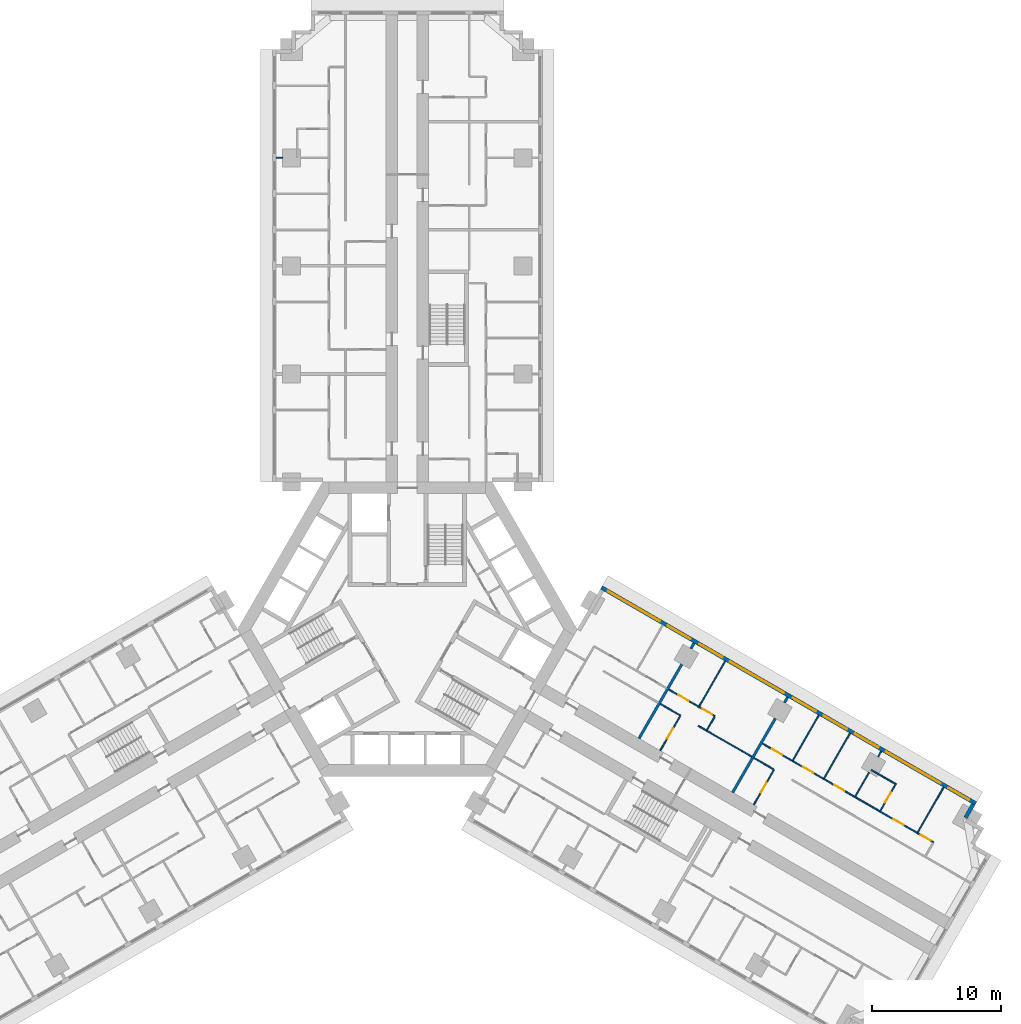
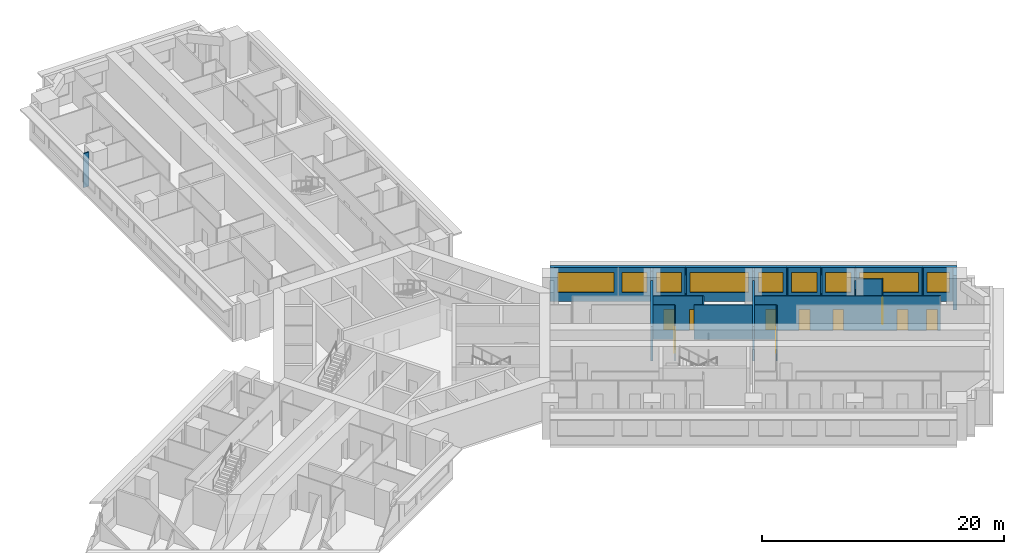
# One storey, part 11 of 14: 23 walls, 10 doors, 9 windows, 19 openings.
"""IFC4 building model written with IfcOpenShell, lengths in metres."""

from ifc_helpers import new_model, si_unit, direction, frame, frame_2d, origin, place, context, subcontext, project, spatial, rectangle, extrude, material, layer, layer_set, type_object, element, fill, save


model = new_model("IFC4")

# Units and contexts
model_context = context("Model", 3, precision=1e-05, world=origin(), true_north=direction((0.0, 1.0)))
body_context = subcontext(model_context, "Body", "Model", "MODEL_VIEW")
ifc_project = project(units=[si_unit("LENGTHUNIT", "METRE"), si_unit("AREAUNIT", "SQUARE_METRE"), si_unit("VOLUMEUNIT", "CUBIC_METRE"), si_unit("PLANEANGLEUNIT", "RADIAN"), si_unit("MASSUNIT", "GRAM", prefix="KILO")], contexts=[model_context])

# Site, building, storey
site_placement = place(None, origin())
site = spatial("IfcSite", under=ifc_project, at=site_placement, CompositionType="ELEMENT")
building_placement = place(site_placement, origin())
building = spatial("IfcBuilding", under=site, at=building_placement, Name="Impinga Residences", CompositionType="ELEMENT")
storey_placement = place(building_placement, frame((0.0, 0.0, 89.75)))
storey = spatial("IfcBuildingStorey", under=building, at=storey_placement, Name="L22", CompositionType="ELEMENT", Elevation=89.75)

# Wall, openings, windows
ifc_material_1 = material(Name="Terracotta rainscreen on blockwork", Category="masonry")
ifc_layer_1 = layer(ifc_material_1, 0.300048828125)
ifc_layer_set_1 = layer_set([ifc_layer_1], Name="EW1 external wall, terracotta rainscreen on blockwork 300")
wall_type_1 = type_object("IfcWallType", Name="EW1 external wall, terracotta rainscreen on blockwork 300", PredefinedType="SOLIDWALL", material=ifc_layer_set_1)
wall_1_placement = place(storey_placement, frame((15.074951171875, 3.24755859375, 0.0), z_axis=(0.0, 0.0, 1.0), x_axis=(0.866024291668, -0.500001926238, 0.0)))
wall_1 = element("IfcWall", 1, at=wall_1_placement, inside=storey, type_object=wall_type_1, Name="External wall EW1 L22", PredefinedType="SOLIDWALL", context=body_context, shape_type="SweptSolid", body=[
    extrude(rectangle(XDim=33.599853515625, YDim=0.300048828125, at=frame_2d((16.7998046875, 0.0))), origin(), (0.0, 0.0, 1.0), 3.449951171875),
])
opening_1_placement = place(wall_1_placement, frame((0.60009765625, 0.0, 0.89990234375)))
opening_1 = element("IfcOpeningElement", 2, at=opening_1_placement, cuts=wall_1, Name="Opening W10", PredefinedType="OPENING", context=body_context, shape_type="SweptSolid", body=[
    extrude(rectangle(XDim=4.64990234375, YDim=2.050048828125, at=frame_2d((2.324951171875, 1.02490234375))), frame((0.0, 0.159912109375, 0.0), z_axis=(0.0, -1.0, 0.0), x_axis=(1.0, 0.0, 0.0)), (0.0, 0.0, 1.0), 0.320068359375),
])
opening_2_placement = place(wall_1_placement, frame((5.949951171875, 0.0, 0.89990234375)))
opening_2 = element("IfcOpeningElement", 3, at=opening_2_placement, cuts=wall_1, Name="Opening W14", PredefinedType="OPENING", context=body_context, shape_type="SweptSolid", body=[
    extrude(rectangle(XDim=2.050048828125, YDim=2.050048828125, at=frame_2d((1.02490234375, 1.02490234375))), frame((0.0, 0.159912109375, 0.0), z_axis=(0.0, -1.0, 0.0), x_axis=(1.0, 0.0, 0.0)), (0.0, 0.0, 1.0), 0.320068359375),
])
opening_3_placement = place(wall_1_placement, frame((8.800048828125, 0.0, 0.89990234375)))
opening_3 = element("IfcOpeningElement", 4, at=opening_3_placement, cuts=wall_1, Name="Opening W14", PredefinedType="OPENING", context=body_context, shape_type="SweptSolid", body=[
    extrude(rectangle(XDim=2.050048828125, YDim=2.050048828125, at=frame_2d((1.02490234375, 1.02490234375))), frame((0.0, 0.159912109375, 0.0), z_axis=(0.0, -1.0, 0.0), x_axis=(1.0, 0.0, 0.0)), (0.0, 0.0, 1.0), 0.320068359375),
])
opening_4_placement = place(wall_1_placement, frame((11.550048828125, 0.0, 0.89990234375)))
opening_4 = element("IfcOpeningElement", 5, at=opening_4_placement, cuts=wall_1, Name="Opening W6", PredefinedType="OPENING", context=body_context, shape_type="SweptSolid", body=[
    extrude(rectangle(XDim=4.85009765625, YDim=2.050048828125, at=frame_2d((2.425048828125, 1.02490234375))), frame((0.0, 0.159912109375, 0.0), z_axis=(0.0, -1.0, 0.0), x_axis=(1.0, 0.0, 0.0)), (0.0, 0.0, 1.0), 0.320068359375),
])
opening_5_placement = place(wall_1_placement, frame((17.199951171875, 0.0, 0.89990234375)))
opening_5 = element("IfcOpeningElement", 6, at=opening_5_placement, cuts=wall_1, Name="Opening W14", PredefinedType="OPENING", context=body_context, shape_type="SweptSolid", body=[
    extrude(rectangle(XDim=2.050048828125, YDim=2.050048828125, at=frame_2d((1.02490234375, 1.02490234375))), frame((0.0, 0.159912109375, 0.0), z_axis=(0.0, -1.0, 0.0), x_axis=(1.0, 0.0, 0.0)), (0.0, 0.0, 1.0), 0.320068359375),
])
opening_6_placement = place(wall_1_placement, frame((19.949951171875, 0.0, 0.89990234375)))
opening_6 = element("IfcOpeningElement", 7, at=opening_6_placement, cuts=wall_1, Name="Opening W9", PredefinedType="OPENING", context=body_context, shape_type="SweptSolid", body=[
    extrude(rectangle(XDim=2.10009765625, YDim=2.050048828125, at=frame_2d((1.050048828125, 1.02490234375))), frame((0.0, 0.159912109375, 0.0), z_axis=(0.0, -1.0, 0.0), x_axis=(1.0, 0.0, 0.0)), (0.0, 0.0, 1.0), 0.320068359375),
])
opening_7_placement = place(wall_1_placement, frame((22.75, 0.0, 0.89990234375)))
opening_7 = element("IfcOpeningElement", 8, at=opening_7_placement, cuts=wall_1, Name="Opening W9", PredefinedType="OPENING", context=body_context, shape_type="SweptSolid", body=[
    extrude(rectangle(XDim=2.10009765625, YDim=2.050048828125, at=frame_2d((1.050048828125, 1.02490234375))), frame((0.0, 0.159912109375, 0.0), z_axis=(0.0, -1.0, 0.0), x_axis=(1.0, 0.0, 0.0)), (0.0, 0.0, 1.0), 0.320068359375),
])
opening_8_placement = place(wall_1_placement, frame((25.550048828125, 0.0, 0.89990234375)))
opening_8 = element("IfcOpeningElement", 9, at=opening_8_placement, cuts=wall_1, Name="Opening W16", PredefinedType="OPENING", context=body_context, shape_type="SweptSolid", body=[
    extrude(rectangle(XDim=4.89990234375, YDim=2.050048828125, at=frame_2d((2.449951171875, 1.02490234375))), frame((0.0, 0.159912109375, 0.0), z_axis=(0.0, -1.0, 0.0), x_axis=(1.0, 0.0, 0.0)), (0.0, 0.0, 1.0), 0.320068359375),
])
opening_9_placement = place(wall_1_placement, frame((31.14990234375, 0.0, 0.89990234375)))
opening_9 = element("IfcOpeningElement", 10, at=opening_9_placement, cuts=wall_1, Name="Opening W15", PredefinedType="OPENING", context=body_context, shape_type="SweptSolid", body=[
    extrude(rectangle(XDim=1.85009765625, YDim=2.050048828125, at=frame_2d((0.925048828125, 1.02490234375))), frame((0.0, 0.159912109375, 0.0), z_axis=(0.0, -1.0, 0.0), x_axis=(1.0, 0.0, 0.0)), (0.0, 0.0, 1.0), 0.320068359375),
])
ifc_material_2 = material(Name="Aluminium window, clear double glazing", Category="aluminium")
window_type_1 = type_object("IfcWindowType", Name="W10 ribbon window 4650x2050", PartitioningType="SINGLE_PANEL", PredefinedType="WINDOW", material=ifc_material_2)
window_1_placement = place(opening_1_placement, origin())
window_1 = element("IfcWindow", 11, at=window_1_placement, inside=storey, type_object=window_type_1, Name="Window L22", OverallHeight=2.050048828125, OverallWidth=4.64990234375, PartitioningType="SINGLE_PANEL", PredefinedType="WINDOW", context=body_context, shape_type="SweptSolid", body=[
    extrude(rectangle(XDim=4.64990234375, YDim=2.050048828125, at=frame_2d((2.324951171875, 1.02490234375))), frame((0.0, 0.030029296875, 0.0), z_axis=(0.0, -1.0, 0.0), x_axis=(1.0, 0.0, 0.0)), (0.0, 0.0, 1.0), 0.06005859375),
])
fill(opening_1, window_1)
window_type_2 = type_object("IfcWindowType", Name="W14 ribbon window 2050x2050", PartitioningType="SINGLE_PANEL", PredefinedType="WINDOW", material=ifc_material_2)
window_2_placement = place(opening_2_placement, origin())
window_2 = element("IfcWindow", 12, at=window_2_placement, inside=storey, type_object=window_type_2, Name="Window L22", OverallHeight=2.050048828125, OverallWidth=2.050048828125, PartitioningType="SINGLE_PANEL", PredefinedType="WINDOW", context=body_context, shape_type="SweptSolid", body=[
    extrude(rectangle(XDim=2.050048828125, YDim=2.050048828125, at=frame_2d((1.02490234375, 1.02490234375))), frame((0.0, 0.030029296875, 0.0), z_axis=(0.0, -1.0, 0.0), x_axis=(1.0, 0.0, 0.0)), (0.0, 0.0, 1.0), 0.06005859375),
])
fill(opening_2, window_2)
window_3_placement = place(opening_3_placement, origin())
window_3 = element("IfcWindow", 13, at=window_3_placement, inside=storey, type_object=window_type_2, Name="Window L22", OverallHeight=2.050048828125, OverallWidth=2.050048828125, PartitioningType="SINGLE_PANEL", PredefinedType="WINDOW", context=body_context, shape_type="SweptSolid", body=[
    extrude(rectangle(XDim=2.050048828125, YDim=2.050048828125, at=frame_2d((1.02490234375, 1.02490234375))), frame((0.0, 0.030029296875, 0.0), z_axis=(0.0, -1.0, 0.0), x_axis=(1.0, 0.0, 0.0)), (0.0, 0.0, 1.0), 0.06005859375),
])
fill(opening_3, window_3)
window_4_placement = place(opening_5_placement, origin())
window_4 = element("IfcWindow", 14, at=window_4_placement, inside=storey, type_object=window_type_2, Name="Window L22", OverallHeight=2.050048828125, OverallWidth=2.050048828125, PartitioningType="SINGLE_PANEL", PredefinedType="WINDOW", context=body_context, shape_type="SweptSolid", body=[
    extrude(rectangle(XDim=2.050048828125, YDim=2.050048828125, at=frame_2d((1.02490234375, 1.02490234375))), frame((0.0, 0.030029296875, 0.0), z_axis=(0.0, -1.0, 0.0), x_axis=(1.0, 0.0, 0.0)), (0.0, 0.0, 1.0), 0.06005859375),
])
fill(opening_5, window_4)
window_type_3 = type_object("IfcWindowType", Name="W15 ribbon window 1850x2050", PartitioningType="SINGLE_PANEL", PredefinedType="WINDOW", material=ifc_material_2)
window_5_placement = place(opening_9_placement, origin())
window_5 = element("IfcWindow", 15, at=window_5_placement, inside=storey, type_object=window_type_3, Name="Window L22", OverallHeight=2.050048828125, OverallWidth=1.85009765625, PartitioningType="SINGLE_PANEL", PredefinedType="WINDOW", context=body_context, shape_type="SweptSolid", body=[
    extrude(rectangle(XDim=1.85009765625, YDim=2.050048828125, at=frame_2d((0.925048828125, 1.02490234375))), frame((0.0, 0.030029296875, 0.0), z_axis=(0.0, -1.0, 0.0), x_axis=(1.0, 0.0, 0.0)), (0.0, 0.0, 1.0), 0.06005859375),
])
fill(opening_9, window_5)
window_type_4 = type_object("IfcWindowType", Name="W16 ribbon window 4900x2050", PartitioningType="SINGLE_PANEL", PredefinedType="WINDOW", material=ifc_material_2)
window_6_placement = place(opening_8_placement, origin())
window_6 = element("IfcWindow", 16, at=window_6_placement, inside=storey, type_object=window_type_4, Name="Window L22", OverallHeight=2.050048828125, OverallWidth=4.89990234375, PartitioningType="SINGLE_PANEL", PredefinedType="WINDOW", context=body_context, shape_type="SweptSolid", body=[
    extrude(rectangle(XDim=4.89990234375, YDim=2.050048828125, at=frame_2d((2.449951171875, 1.02490234375))), frame((0.0, 0.030029296875, 0.0), z_axis=(0.0, -1.0, 0.0), x_axis=(1.0, 0.0, 0.0)), (0.0, 0.0, 1.0), 0.06005859375),
])
fill(opening_8, window_6)
window_type_5 = type_object("IfcWindowType", Name="W6 ribbon window 4850x2050", PartitioningType="SINGLE_PANEL", PredefinedType="WINDOW", material=ifc_material_2)
window_7_placement = place(opening_4_placement, origin())
window_7 = element("IfcWindow", 17, at=window_7_placement, inside=storey, type_object=window_type_5, Name="Window L22", OverallHeight=2.050048828125, OverallWidth=4.85009765625, PartitioningType="SINGLE_PANEL", PredefinedType="WINDOW", context=body_context, shape_type="SweptSolid", body=[
    extrude(rectangle(XDim=4.85009765625, YDim=2.050048828125, at=frame_2d((2.425048828125, 1.02490234375))), frame((0.0, 0.030029296875, 0.0), z_axis=(0.0, -1.0, 0.0), x_axis=(1.0, 0.0, 0.0)), (0.0, 0.0, 1.0), 0.06005859375),
])
fill(opening_4, window_7)
window_type_6 = type_object("IfcWindowType", Name="W9 ribbon window 2100x2050", PartitioningType="SINGLE_PANEL", PredefinedType="WINDOW", material=ifc_material_2)
window_8_placement = place(opening_6_placement, origin())
window_8 = element("IfcWindow", 18, at=window_8_placement, inside=storey, type_object=window_type_6, Name="Window L22", OverallHeight=2.050048828125, OverallWidth=2.10009765625, PartitioningType="SINGLE_PANEL", PredefinedType="WINDOW", context=body_context, shape_type="SweptSolid", body=[
    extrude(rectangle(XDim=2.10009765625, YDim=2.050048828125, at=frame_2d((1.050048828125, 1.02490234375))), frame((0.0, 0.030029296875, 0.0), z_axis=(0.0, -1.0, 0.0), x_axis=(1.0, 0.0, 0.0)), (0.0, 0.0, 1.0), 0.06005859375),
])
fill(opening_6, window_8)
window_9_placement = place(opening_7_placement, origin())
window_9 = element("IfcWindow", 19, at=window_9_placement, inside=storey, type_object=window_type_6, Name="Window L22", OverallHeight=2.050048828125, OverallWidth=2.10009765625, PartitioningType="SINGLE_PANEL", PredefinedType="WINDOW", context=body_context, shape_type="SweptSolid", body=[
    extrude(rectangle(XDim=2.10009765625, YDim=2.050048828125, at=frame_2d((1.050048828125, 1.02490234375))), frame((0.0, 0.030029296875, 0.0), z_axis=(0.0, -1.0, 0.0), x_axis=(1.0, 0.0, 0.0)), (0.0, 0.0, 1.0), 0.06005859375),
])
fill(opening_7, window_9)

# Walls
wall_2_placement = place(storey_placement, frame((43.968505859375, -13.607421875, 0.0), z_axis=(0.0, 0.0, 1.0), x_axis=(-0.500029051137, -0.866008630453, 0.0)))
element("IfcWall", 20, at=wall_2_placement, inside=storey, type_object=wall_type_1, Name="External wall EW1 L22", PredefinedType="SOLIDWALL", context=body_context, shape_type="SweptSolid", body=[
    extrude(rectangle(XDim=1.19482421875, YDim=0.300048828125, at=frame_2d((0.597412109375, 0.0))), origin(), (0.0, 0.0, 1.0), 3.449951171875),
])
ifc_material_3 = material(Name="Gypsum board on steel studs", Category="steel")
ifc_layer_2 = layer(ifc_material_3, 0.10009765625)
ifc_layer_set_2 = layer_set([ifc_layer_2], Name="Gypsum board on steel studs")
wall_type_2 = type_object("IfcWallType", Name="IP1 partition 100", PredefinedType="PARTITIONING", material=ifc_layer_set_2)
wall_3_placement = place(storey_placement, frame((-9.699951171875, 36.631591796875, 0.0), z_axis=(0.0, 0.0, 1.0), x_axis=(-1.0, 0.0, 0.0)))
element("IfcWall", 21, at=wall_3_placement, inside=storey, type_object=wall_type_2, Name="Partition L22-NA3:OB3b", PredefinedType="PARTITIONING", context=body_context, shape_type="SweptSolid", body=[
    extrude(rectangle(XDim=0.5, YDim=0.10009765625, at=frame_2d((0.25, 0.0))), origin(), (0.0, 0.0, 1.0), 3.449951171875),
])
wall_4_placement = place(storey_placement, frame((19.6611328125, -5.808837890625, 0.0), z_axis=(0.0, 0.0, 1.0), x_axis=(0.866047807691, -0.499961193289, 0.0)))
element("IfcWall", 22, at=wall_4_placement, inside=storey, type_object=wall_type_2, Name="Partition L22-EA2:DIV0", PredefinedType="PARTITIONING", context=body_context, shape_type="SweptSolid", body=[
    extrude(rectangle(XDim=1.800048828125, YDim=0.10009765625, at=frame_2d((0.89990234375, 0.0))), origin(), (0.0, 0.0, 1.0), 3.449951171875),
])
wall_5_placement = place(storey_placement, frame((22.605712890625, -7.5087890625, 0.0), z_axis=(0.0, 0.0, 1.0), x_axis=(0.866015339567, -0.500017431331, 0.0)))
element("IfcWall", 23, at=wall_5_placement, inside=storey, type_object=wall_type_2, Name="Partition L22-EA2:DIV1", PredefinedType="PARTITIONING", context=body_context, shape_type="SweptSolid", body=[
    extrude(rectangle(XDim=4.800048828125, YDim=0.10009765625, at=frame_2d((2.39990234375, 0.0))), origin(), (0.0, 0.0, 1.0), 3.449951171875),
])

# Wall, openings, doors
wall_6_placement = place(storey_placement, frame((20.311279296875, -4.68310546875, 0.0), z_axis=(0.0, 0.0, 1.0), x_axis=(0.86602981871, -0.499992353047, 0.0)))
wall_6 = element("IfcWall", 24, at=wall_6_placement, inside=storey, type_object=wall_type_2, Name="Partition L22-EA2:STRIP", PredefinedType="PARTITIONING", context=body_context, shape_type="SweptSolid", body=[
    extrude(rectangle(XDim=4.14990234375, YDim=0.10009765625, at=frame_2d((2.074951171875, 0.0))), origin(), (0.0, 0.0, 1.0), 3.449951171875),
])
opening_10_placement = place(wall_6_placement, frame((0.875, 0.0, 0.0)))
opening_10 = element("IfcOpeningElement", 25, at=opening_10_placement, cuts=wall_6, Name="Opening D2", PredefinedType="OPENING", context=body_context, shape_type="SweptSolid", body=[
    extrude(rectangle(XDim=0.89990234375, YDim=2.10009765625, at=frame_2d((0.449951171875, 1.050048828125))), frame((0.0, 0.06005859375, 0.0), z_axis=(0.0, -1.0, 0.0), x_axis=(1.0, 0.0, 0.0)), (0.0, 0.0, 1.0), 0.1201171875),
])
opening_11_placement = place(wall_6_placement, frame((3.0, 0.0, 0.0)))
opening_11 = element("IfcOpeningElement", 26, at=opening_11_placement, cuts=wall_6, Name="Opening D2", PredefinedType="OPENING", context=body_context, shape_type="SweptSolid", body=[
    extrude(rectangle(XDim=0.89990234375, YDim=2.10009765625, at=frame_2d((0.449951171875, 1.050048828125))), frame((0.0, 0.06005859375, 0.0), z_axis=(0.0, -1.0, 0.0), x_axis=(1.0, 0.0, 0.0)), (0.0, 0.0, 1.0), 0.1201171875),
])
ifc_material_4 = material(Name="Timber door set", Category="wood")
door_type = type_object("IfcDoorType", Name="D2 internal door 900x2100", OperationType="SINGLE_SWING_LEFT", PredefinedType="DOOR", material=ifc_material_4)
door_1_placement = place(opening_10_placement, origin())
door_1 = element("IfcDoor", 27, at=door_1_placement, inside=storey, type_object=door_type, Name="Apartment L22-EA2 room door", OperationType="SINGLE_SWING_LEFT", OverallHeight=2.10009765625, OverallWidth=0.89990234375, PredefinedType="DOOR", context=body_context, shape_type="SweptSolid", body=[
    extrude(rectangle(XDim=0.89990234375, YDim=2.10009765625, at=frame_2d((0.449951171875, 1.050048828125))), frame((0.0, 0.02490234375, 0.0), z_axis=(0.0, -1.0, 0.0), x_axis=(1.0, 0.0, 0.0)), (0.0, 0.0, 1.0), 0.050048828125),
])
fill(opening_10, door_1)
door_2_placement = place(opening_11_placement, origin())
door_2 = element("IfcDoor", 28, at=door_2_placement, inside=storey, type_object=door_type, Name="Apartment L22-EA2 room door", OperationType="SINGLE_SWING_RIGHT", OverallHeight=2.10009765625, OverallWidth=0.89990234375, PredefinedType="DOOR", context=body_context, shape_type="SweptSolid", body=[
    extrude(rectangle(XDim=0.89990234375, YDim=2.10009765625, at=frame_2d((0.449951171875, 1.050048828125))), frame((0.0, 0.02490234375, 0.0), z_axis=(0.0, -1.0, 0.0), x_axis=(1.0, 0.0, 0.0)), (0.0, 0.0, 1.0), 0.050048828125),
])
fill(opening_11, door_2)

# Wall
wall_7_placement = place(storey_placement, frame((23.2802734375, -7.840576171875, 0.0), z_axis=(0.0, 0.0, 1.0), x_axis=(0.499880961361, 0.866094119867, 0.0)))
element("IfcWall", 29, at=wall_7_placement, inside=storey, type_object=wall_type_2, Name="Partition L22-EA2:SE1", PredefinedType="PARTITIONING", context=body_context, shape_type="SweptSolid", body=[
    extrude(rectangle(XDim=1.199951171875, YDim=0.10009765625, at=frame_2d((0.60009765625, 0.0))), origin(), (0.0, 0.0, 1.0), 3.449951171875),
])

# Wall, opening, door
wall_8_placement = place(storey_placement, frame((19.64501953125, -9.436767578125, 0.0), z_axis=(0.0, 0.0, 1.0), x_axis=(0.500026960575, 0.86600983753, 0.0)))
wall_8 = element("IfcWall", 30, at=wall_8_placement, inside=storey, type_object=wall_type_2, Name="Partition L22-EA2:IB1", PredefinedType="PARTITIONING", context=body_context, shape_type="SweptSolid", body=[
    extrude(rectangle(XDim=3.099853515625, YDim=0.10009765625, at=frame_2d((1.5498046875, 0.0))), origin(), (0.0, 0.0, 1.0), 3.449951171875),
])
opening_12_placement = place(wall_8_placement, frame((1.10009765625, 0.0, 0.0)))
opening_12 = element("IfcOpeningElement", 31, at=opening_12_placement, cuts=wall_8, Name="Opening D2", PredefinedType="OPENING", context=body_context, shape_type="SweptSolid", body=[
    extrude(rectangle(XDim=0.89990234375, YDim=2.10009765625, at=frame_2d((0.449951171875, 1.050048828125))), frame((0.0, 0.06005859375, 0.0), z_axis=(0.0, -1.0, 0.0), x_axis=(1.0, 0.0, 0.0)), (0.0, 0.0, 1.0), 0.1201171875),
])
door_3_placement = place(opening_12_placement, origin())
door_3 = element("IfcDoor", 32, at=door_3_placement, inside=storey, type_object=door_type, Name="Apartment L22-EA2 bathroom door", OperationType="SINGLE_SWING_LEFT", OverallHeight=2.10009765625, OverallWidth=0.89990234375, PredefinedType="DOOR", context=body_context, shape_type="SweptSolid", body=[
    extrude(rectangle(XDim=0.89990234375, YDim=2.10009765625, at=frame_2d((0.449951171875, 1.050048828125))), frame((0.0, 0.02490234375, 0.0), z_axis=(0.0, -1.0, 0.0), x_axis=(1.0, 0.0, 0.0)), (0.0, 0.0, 1.0), 0.050048828125),
])
fill(opening_12, door_3)

# Walls
wall_9_placement = place(storey_placement, frame((22.674560546875, -5.98974609375, 0.0), z_axis=(0.0, 0.0, 1.0), x_axis=(0.499990325971, 0.866030989016, 0.0)))
element("IfcWall", 33, at=wall_9_placement, inside=storey, type_object=wall_type_2, Name="Partition L22-EA2:OB1", PredefinedType="PARTITIONING", context=body_context, shape_type="SweptSolid", body=[
    extrude(rectangle(XDim=4.0498046875, YDim=0.10009765625, at=frame_2d((2.02490234375, 0.0))), origin(), (0.0, 0.0, 1.0), 3.449951171875),
])
wall_10_placement = place(storey_placement, frame((26.935791015625, -10.0087890625, 0.0), z_axis=(0.0, 0.0, 1.0), x_axis=(0.865989075817, -0.500062916607, 0.0)))
element("IfcWall", 34, at=wall_10_placement, inside=storey, type_object=wall_type_2, Name="Partition L22-EA3:DIV0", PredefinedType="PARTITIONING", context=body_context, shape_type="SweptSolid", body=[
    extrude(rectangle(XDim=1.800048828125, YDim=0.10009765625, at=frame_2d((0.89990234375, 0.0))), origin(), (0.0, 0.0, 1.0), 3.449951171875),
])

# Wall, openings, doors
wall_11_placement = place(storey_placement, frame((27.5859375, -8.883056640625, 0.0), z_axis=(0.0, 0.0, 1.0), x_axis=(0.866023490266, -0.500003314297, 0.0)))
wall_11 = element("IfcWall", 35, at=wall_11_placement, inside=storey, type_object=wall_type_2, Name="Partition L22-EA3:STRIP", PredefinedType="PARTITIONING", context=body_context, shape_type="SweptSolid", body=[
    extrude(rectangle(XDim=15.35009765625, YDim=0.10009765625, at=frame_2d((7.675048828125, 0.0))), origin(), (0.0, 0.0, 1.0), 3.449951171875),
])
opening_13_placement = place(wall_11_placement, frame((0.875, 0.0, 0.0)))
opening_13 = element("IfcOpeningElement", 36, at=opening_13_placement, cuts=wall_11, Name="Opening D2", PredefinedType="OPENING", context=body_context, shape_type="SweptSolid", body=[
    extrude(rectangle(XDim=0.89990234375, YDim=2.10009765625, at=frame_2d((0.449951171875, 1.050048828125))), frame((0.0, 0.06005859375, 0.0), z_axis=(0.0, -1.0, 0.0), x_axis=(1.0, 0.0, 0.0)), (0.0, 0.0, 1.0), 0.1201171875),
])
opening_14_placement = place(wall_11_placement, frame((3.64990234375, 0.0, 0.0)))
opening_14 = element("IfcOpeningElement", 37, at=opening_14_placement, cuts=wall_11, Name="Opening D2", PredefinedType="OPENING", context=body_context, shape_type="SweptSolid", body=[
    extrude(rectangle(XDim=0.89990234375, YDim=2.10009765625, at=frame_2d((0.449951171875, 1.050048828125))), frame((0.0, 0.06005859375, 0.0), z_axis=(0.0, -1.0, 0.0), x_axis=(1.0, 0.0, 0.0)), (0.0, 0.0, 1.0), 0.1201171875),
])
opening_15_placement = place(wall_11_placement, frame((6.449951171875, 0.0, 0.0)))
opening_15 = element("IfcOpeningElement", 38, at=opening_15_placement, cuts=wall_11, Name="Opening D2", PredefinedType="OPENING", context=body_context, shape_type="SweptSolid", body=[
    extrude(rectangle(XDim=0.89990234375, YDim=2.10009765625, at=frame_2d((0.449951171875, 1.050048828125))), frame((0.0, 0.06005859375, 0.0), z_axis=(0.0, -1.0, 0.0), x_axis=(1.0, 0.0, 0.0)), (0.0, 0.0, 1.0), 0.1201171875),
])
opening_16_placement = place(wall_11_placement, frame((11.77490234375, 0.0, 0.0)))
opening_16 = element("IfcOpeningElement", 39, at=opening_16_placement, cuts=wall_11, Name="Opening D2", PredefinedType="OPENING", context=body_context, shape_type="SweptSolid", body=[
    extrude(rectangle(XDim=0.89990234375, YDim=2.10009765625, at=frame_2d((0.449951171875, 1.050048828125))), frame((0.0, 0.06005859375, 0.0), z_axis=(0.0, -1.0, 0.0), x_axis=(1.0, 0.0, 0.0)), (0.0, 0.0, 1.0), 0.1201171875),
])
opening_17_placement = place(wall_11_placement, frame((14.199951171875, 0.0, 0.0)))
opening_17 = element("IfcOpeningElement", 40, at=opening_17_placement, cuts=wall_11, Name="Opening D2", PredefinedType="OPENING", context=body_context, shape_type="SweptSolid", body=[
    extrude(rectangle(XDim=0.89990234375, YDim=2.10009765625, at=frame_2d((0.449951171875, 1.050048828125))), frame((0.0, 0.06005859375, 0.0), z_axis=(0.0, -1.0, 0.0), x_axis=(1.0, 0.0, 0.0)), (0.0, 0.0, 1.0), 0.1201171875),
])
door_4_placement = place(opening_13_placement, origin())
door_4 = element("IfcDoor", 41, at=door_4_placement, inside=storey, type_object=door_type, Name="Apartment L22-EA3 room door", OperationType="SINGLE_SWING_LEFT", OverallHeight=2.10009765625, OverallWidth=0.89990234375, PredefinedType="DOOR", context=body_context, shape_type="SweptSolid", body=[
    extrude(rectangle(XDim=0.89990234375, YDim=2.10009765625, at=frame_2d((0.449951171875, 1.050048828125))), frame((0.0, 0.02490234375, 0.0), z_axis=(0.0, -1.0, 0.0), x_axis=(1.0, 0.0, 0.0)), (0.0, 0.0, 1.0), 0.050048828125),
])
fill(opening_13, door_4)
door_5_placement = place(opening_14_placement, origin())
door_5 = element("IfcDoor", 42, at=door_5_placement, inside=storey, type_object=door_type, Name="Apartment L22-EA3 room door", OperationType="SINGLE_SWING_LEFT", OverallHeight=2.10009765625, OverallWidth=0.89990234375, PredefinedType="DOOR", context=body_context, shape_type="SweptSolid", body=[
    extrude(rectangle(XDim=0.89990234375, YDim=2.10009765625, at=frame_2d((0.449951171875, 1.050048828125))), frame((0.0, 0.02490234375, 0.0), z_axis=(0.0, -1.0, 0.0), x_axis=(1.0, 0.0, 0.0)), (0.0, 0.0, 1.0), 0.050048828125),
])
fill(opening_14, door_5)
door_6_placement = place(opening_15_placement, origin())
door_6 = element("IfcDoor", 43, at=door_6_placement, inside=storey, type_object=door_type, Name="Apartment L22-EA3 room door", OperationType="SINGLE_SWING_LEFT", OverallHeight=2.10009765625, OverallWidth=0.89990234375, PredefinedType="DOOR", context=body_context, shape_type="SweptSolid", body=[
    extrude(rectangle(XDim=0.89990234375, YDim=2.10009765625, at=frame_2d((0.449951171875, 1.050048828125))), frame((0.0, 0.02490234375, 0.0), z_axis=(0.0, -1.0, 0.0), x_axis=(1.0, 0.0, 0.0)), (0.0, 0.0, 1.0), 0.050048828125),
])
fill(opening_15, door_6)
door_7_placement = place(opening_16_placement, origin())
door_7 = element("IfcDoor", 44, at=door_7_placement, inside=storey, type_object=door_type, Name="Apartment L22-EA3 room door", OperationType="SINGLE_SWING_RIGHT", OverallHeight=2.10009765625, OverallWidth=0.89990234375, PredefinedType="DOOR", context=body_context, shape_type="SweptSolid", body=[
    extrude(rectangle(XDim=0.89990234375, YDim=2.10009765625, at=frame_2d((0.449951171875, 1.050048828125))), frame((0.0, 0.02490234375, 0.0), z_axis=(0.0, -1.0, 0.0), x_axis=(1.0, 0.0, 0.0)), (0.0, 0.0, 1.0), 0.050048828125),
])
fill(opening_16, door_7)
door_8_placement = place(opening_17_placement, origin())
door_8 = element("IfcDoor", 45, at=door_8_placement, inside=storey, type_object=door_type, Name="Apartment L22-EA3 room door", OperationType="SINGLE_SWING_RIGHT", OverallHeight=2.10009765625, OverallWidth=0.89990234375, PredefinedType="DOOR", context=body_context, shape_type="SweptSolid", body=[
    extrude(rectangle(XDim=0.89990234375, YDim=2.10009765625, at=frame_2d((0.449951171875, 1.050048828125))), frame((0.0, 0.02490234375, 0.0), z_axis=(0.0, -1.0, 0.0), x_axis=(1.0, 0.0, 0.0)), (0.0, 0.0, 1.0), 0.050048828125),
])
fill(opening_17, door_8)

# Wall, opening, door
wall_12_placement = place(storey_placement, frame((26.919677734375, -13.63671875, 0.0), z_axis=(0.0, 0.0, 1.0), x_axis=(0.500026960575, 0.86600983753, 0.0)))
wall_12 = element("IfcWall", 46, at=wall_12_placement, inside=storey, type_object=wall_type_2, Name="Partition L22-EA3:IB1", PredefinedType="PARTITIONING", context=body_context, shape_type="SweptSolid", body=[
    extrude(rectangle(XDim=3.099853515625, YDim=0.10009765625, at=frame_2d((1.5498046875, 0.0))), origin(), (0.0, 0.0, 1.0), 3.449951171875),
])
opening_18_placement = place(wall_12_placement, frame((1.10009765625, 0.0, 0.0)))
opening_18 = element("IfcOpeningElement", 47, at=opening_18_placement, cuts=wall_12, Name="Opening D2", PredefinedType="OPENING", context=body_context, shape_type="SweptSolid", body=[
    extrude(rectangle(XDim=0.89990234375, YDim=2.10009765625, at=frame_2d((0.449951171875, 1.050048828125))), frame((0.0, 0.06005859375, 0.0), z_axis=(0.0, -1.0, 0.0), x_axis=(1.0, 0.0, 0.0)), (0.0, 0.0, 1.0), 0.1201171875),
])
door_9_placement = place(opening_18_placement, origin())
door_9 = element("IfcDoor", 48, at=door_9_placement, inside=storey, type_object=door_type, Name="Apartment L22-EA3 bathroom door", OperationType="SINGLE_SWING_LEFT", OverallHeight=2.10009765625, OverallWidth=0.89990234375, PredefinedType="DOOR", context=body_context, shape_type="SweptSolid", body=[
    extrude(rectangle(XDim=0.89990234375, YDim=2.10009765625, at=frame_2d((0.449951171875, 1.050048828125))), frame((0.0, 0.02490234375, 0.0), z_axis=(0.0, -1.0, 0.0), x_axis=(1.0, 0.0, 0.0)), (0.0, 0.0, 1.0), 0.050048828125),
])
fill(opening_18, door_9)

# Walls
for number, where, z_axis, x_axis, name in (
    (49, (29.94921875, -10.189697265625, 0.0), (0.0, 0.0, 1.0), (0.499990325971, 0.866030989016, 0.0), "Partition L22-EA3:OB1"),
    (50, (32.3740234375, -11.589599609375, 0.0), (0.0, 0.0, 1.0), (0.499990325971, 0.866030989016, 0.0), "Partition L22-EA3:OB2"),
):
    element("IfcWall", number, at=place(storey_placement, frame(where, z_axis=z_axis, x_axis=x_axis)), inside=storey, type_object=wall_type_2, Name=name, PredefinedType="PARTITIONING", context=body_context, shape_type="SweptSolid", body=[
        extrude(rectangle(XDim=4.0498046875, YDim=0.10009765625, at=frame_2d((2.02490234375, 0.0))), origin(), (0.0, 0.0, 1.0), 3.449951171875),
    ])
wall_13_placement = place(storey_placement, frame((34.798828125, -12.98974609375, 0.0), z_axis=(0.0, 0.0, 1.0), x_axis=(0.499961633463, 0.866047553582, 0.0)))
element("IfcWall", 51, at=wall_13_placement, inside=storey, type_object=wall_type_2, Name="Partition L22-EA3:OB3", PredefinedType="PARTITIONING", context=body_context, shape_type="SweptSolid", body=[
    extrude(rectangle(XDim=2.150146484375, YDim=0.10009765625, at=frame_2d((1.0751953125, 0.0))), origin(), (0.0, 0.0, 1.0), 3.449951171875),
])
wall_14_placement = place(storey_placement, frame((36.57373046875, -9.915283203125, 0.0), z_axis=(0.0, 0.0, 1.0), x_axis=(0.500131122175, 0.865949687125, 0.0)))
element("IfcWall", 52, at=wall_14_placement, inside=storey, type_object=wall_type_2, Name="Partition L22-EA3:OB3b", PredefinedType="PARTITIONING", context=body_context, shape_type="SweptSolid", body=[
    extrude(rectangle(XDim=0.499755859375, YDim=0.10009765625, at=frame_2d((0.25, 0.0))), origin(), (0.0, 0.0, 1.0), 3.449951171875),
])
wall_15_placement = place(storey_placement, frame((39.648681640625, -15.789794921875, 0.0), z_axis=(0.0, 0.0, 1.0), x_axis=(0.499964223975, 0.866046058097, 0.0)))
element("IfcWall", 53, at=wall_15_placement, inside=storey, type_object=wall_type_2, Name="Partition L22-EA3:OB4", PredefinedType="PARTITIONING", context=body_context, shape_type="SweptSolid", body=[
    extrude(rectangle(XDim=4.050048828125, YDim=0.10009765625, at=frame_2d((2.02490234375, 0.0))), origin(), (0.0, 0.0, 1.0), 3.449951171875),
])

# Wall, opening, door
wall_16_placement = place(storey_placement, frame((36.747314453125, -14.11474609375, 0.0), z_axis=(0.0, 0.0, 1.0), x_axis=(0.500018594424, 0.866014668023, 0.0)))
wall_16 = element("IfcWall", 54, at=wall_16_placement, inside=storey, type_object=wall_type_2, Name="Partition L22-EA3:EN1", PredefinedType="PARTITIONING", context=body_context, shape_type="SweptSolid", body=[
    extrude(rectangle(XDim=2.4501953125, YDim=0.10009765625, at=frame_2d((1.22509765625, 0.0))), origin(), (0.0, 0.0, 1.0), 3.449951171875),
])
opening_19_placement = place(wall_16_placement, frame((0.75, 0.0, 0.0)))
opening_19 = element("IfcOpeningElement", 55, at=opening_19_placement, cuts=wall_16, Name="Opening D2", PredefinedType="OPENING", context=body_context, shape_type="SweptSolid", body=[
    extrude(rectangle(XDim=0.89990234375, YDim=2.10009765625, at=frame_2d((0.449951171875, 1.050048828125))), frame((0.0, 0.06005859375, 0.0), z_axis=(0.0, -1.0, 0.0), x_axis=(1.0, 0.0, 0.0)), (0.0, 0.0, 1.0), 0.1201171875),
])
door_10_placement = place(opening_19_placement, origin())
door_10 = element("IfcDoor", 56, at=door_10_placement, inside=storey, type_object=door_type, Name="Apartment L22-EA3 en-suite door", OperationType="SINGLE_SWING_LEFT", OverallHeight=2.10009765625, OverallWidth=0.89990234375, PredefinedType="DOOR", context=body_context, shape_type="SweptSolid", body=[
    extrude(rectangle(XDim=0.89990234375, YDim=2.10009765625, at=frame_2d((0.449951171875, 1.050048828125))), frame((0.0, 0.02490234375, 0.0), z_axis=(0.0, -1.0, 0.0), x_axis=(1.0, 0.0, 0.0)), (0.0, 0.0, 1.0), 0.050048828125),
])
fill(opening_19, door_10)

# Walls
wall_17_placement = place(storey_placement, frame((36.042236328125, -10.936279296875, 0.0), z_axis=(0.0, 0.0, 1.0), x_axis=(0.866019166195, -0.500010803666, 0.0)))
element("IfcWall", 57, at=wall_17_placement, inside=storey, type_object=wall_type_2, Name="Partition L22-EA3:EN2", PredefinedType="PARTITIONING", context=body_context, shape_type="SweptSolid", body=[
    extrude(rectangle(XDim=2.14990234375, YDim=0.10009765625, at=frame_2d((1.074951171875, 0.0))), origin(), (0.0, 0.0, 1.0), 3.449951171875),
])
ifc_material_5 = material(Name="Concrete blockwork", Category="masonry")
ifc_layer_3 = layer(ifc_material_5, 0.199951171875)
ifc_layer_set_3 = layer_set([ifc_layer_3], Name="PW1 party wall between apartments 200")
wall_type_3 = type_object("IfcWallType", Name="PW1 party wall between apartments 200", PredefinedType="SOLIDWALL", material=ifc_layer_set_3)
wall_18_placement = place(storey_placement, frame((17.99951171875, -8.48681640625, 0.0), z_axis=(0.0, 0.0, 1.0), x_axis=(0.500024353964, 0.86601134256, 0.0)))
element("IfcWall", 58, at=wall_18_placement, inside=storey, type_object=wall_type_3, Name="Party wall between apartments L22-EA1:PARTY", PredefinedType="SOLIDWALL", context=body_context, shape_type="SweptSolid", body=[
    extrude(rectangle(XDim=6.650146484375, YDim=0.199951171875, at=frame_2d((3.3251953125, 0.0))), origin(), (0.0, 0.0, 1.0), 3.449951171875),
])
wall_19_placement = place(storey_placement, frame((22.024658203125, -1.515380859375, 0.0), z_axis=(0.0, 0.0, 1.0), x_axis=(0.499919672301, 0.866071776036, 0.0)))
element("IfcWall", 59, at=wall_19_placement, inside=storey, type_object=wall_type_3, Name="Party wall between apartments L22-EA1:PARTYb", PredefinedType="SOLIDWALL", context=body_context, shape_type="SweptSolid", body=[
    extrude(rectangle(XDim=0.5, YDim=0.199951171875, at=frame_2d((0.25, 0.0))), origin(), (0.0, 0.0, 1.0), 3.449951171875),
])
wall_20_placement = place(storey_placement, frame((25.274169921875, -12.686767578125, 0.0), z_axis=(0.0, 0.0, 1.0), x_axis=(0.49999681972, 0.866027239912, 0.0)))
element("IfcWall", 60, at=wall_20_placement, inside=storey, type_object=wall_type_3, Name="Party wall between apartments L22-EA2:PARTY", PredefinedType="SOLIDWALL", context=body_context, shape_type="SweptSolid", body=[
    extrude(rectangle(XDim=6.64990234375, YDim=0.199951171875, at=frame_2d((3.324951171875, 0.0))), origin(), (0.0, 0.0, 1.0), 3.449951171875),
])
wall_21_placement = place(storey_placement, frame((29.29931640625, -5.71533203125, 0.0), z_axis=(0.0, 0.0, 1.0), x_axis=(0.499919672301, 0.866071776036, 0.0)))
element("IfcWall", 61, at=wall_21_placement, inside=storey, type_object=wall_type_3, Name="Party wall between apartments L22-EA2:PARTYb", PredefinedType="SOLIDWALL", context=body_context, shape_type="SweptSolid", body=[
    extrude(rectangle(XDim=0.5, YDim=0.199951171875, at=frame_2d((0.25, 0.0))), origin(), (0.0, 0.0, 1.0), 3.449951171875),
])

save(model, "model.ifc")
